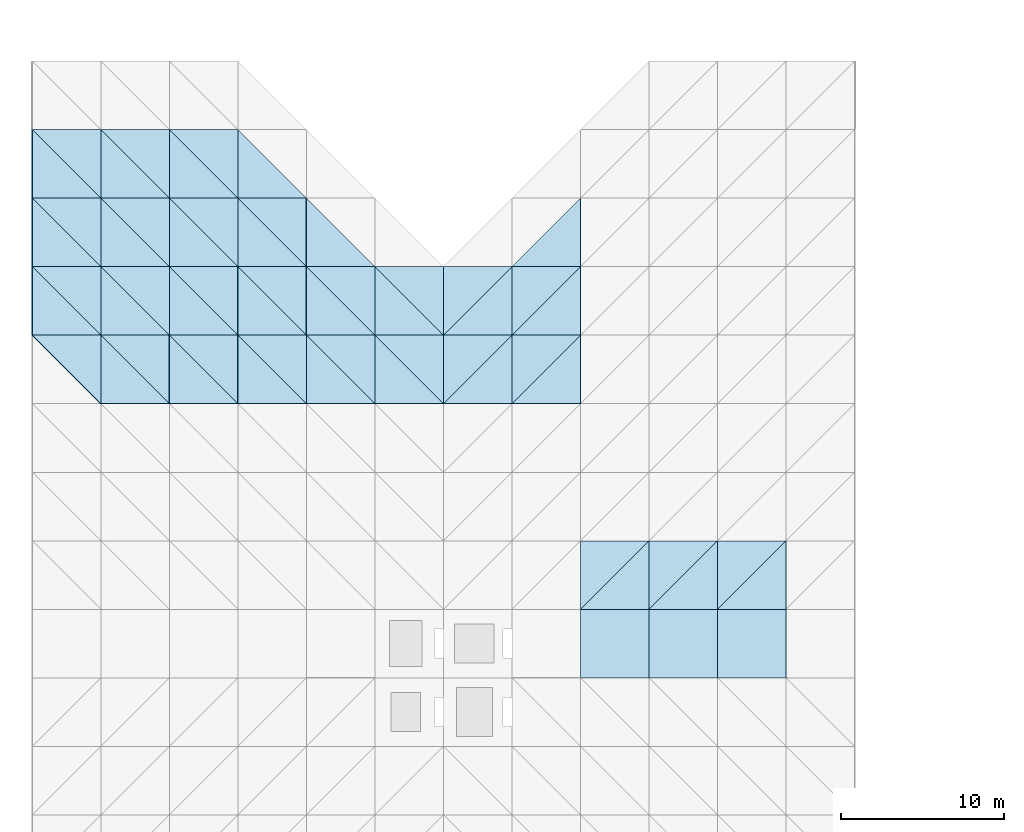
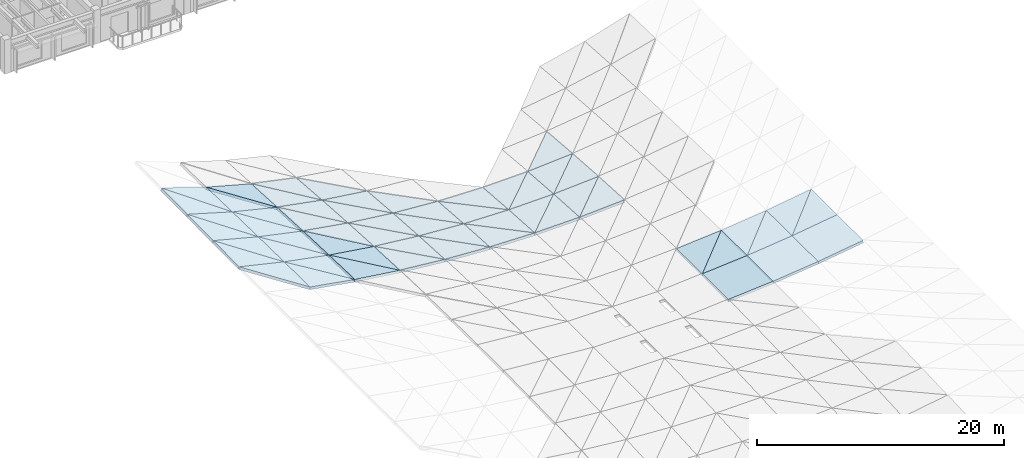
# One storey, part 9 of 31: 57 slabs.
"""IFC4 building model written with IfcOpenShell, lengths in metres."""

from ifc_helpers import new_model, si_unit, direction, frame, origin, place, context, subcontext, project, spatial, polyline, outline, extrude, material, layer, layer_set, type_object, element, save


model = new_model("IFC4")

# Units and contexts
model_context = context("Model", 3, precision=1e-05, world=origin(), true_north=direction((0.0, 1.0)))
body_context = subcontext(model_context, "Body", "Model", "MODEL_VIEW")
ifc_project = project(units=[si_unit("LENGTHUNIT", "METRE"), si_unit("AREAUNIT", "SQUARE_METRE"), si_unit("VOLUMEUNIT", "CUBIC_METRE"), si_unit("PLANEANGLEUNIT", "RADIAN"), si_unit("MASSUNIT", "GRAM", prefix="KILO")], contexts=[model_context])

# Site, building, storey
site_placement = place(None, origin())
site = spatial("IfcSite", under=ifc_project, at=site_placement, CompositionType="ELEMENT")
building_placement = place(site_placement, origin())
building = spatial("IfcBuilding", under=site, at=building_placement, Name="Cumbredor Promenade Congress Hotel", CompositionType="ELEMENT")
storey_placement = place(building_placement, frame((0.0, 0.0, 31.919921875)))
storey = spatial("IfcBuildingStorey", under=building, at=storey_placement, Name="L09", CompositionType="ELEMENT", Elevation=31.919921875)

# Slabs
ifc_material = material(Name="Concrete C40/50", Category="concrete")
ifc_layer = layer(ifc_material, 0.25, Name="Concrete C40/50", Category="concrete")
ifc_layer_set = layer_set([ifc_layer], Name="Concrete C40/50")
slab_type = type_object("IfcSlabType", Name="Catenary Space Frame Roof Deck 250mm", PredefinedType="ROOF", material=ifc_layer_set)
slab_1_placement = place(storey_placement, frame((12.60009765625, 50.39990234375, 2.68994140625), z_axis=(0.22698046669, 0.013301847799, 0.973808466068), x_axis=(0.0, 0.999906720525, -0.013658339882)))
element("IfcSlab", 1, at=slab_1_placement, inside=storey, type_object=slab_type, Name="Plenary Congress Hall Sweeping Roof Deck Facet 4.13.2", PredefinedType="ROOF", context=body_context, shape_type="SweptSolid", body=[
    extrude(outline(polyline([(0.0, 0.0), (4.200587141061913, -1.734723475976807e-18), (4.187215572964913, 4.312761355879358), (0.0, 0.0)])), origin(), (0.0, 0.0, -1.0), 0.25),
])
slab_2_placement = place(storey_placement, frame((8.39990234375, 54.60009765625, 3.611572265625), z_axis=(0.226989154907, -0.010019804461, 0.973845740902), x_axis=(0.973894629926, 0.0, -0.227000550221)))
element("IfcSlab", 2, at=slab_2_placement, inside=storey, type_object=slab_type, Name="Plenary Congress Hall Sweeping Roof Deck Facet 4.14.1", PredefinedType="ROOF", context=body_context, shape_type="SweptSolid", body=[
    extrude(outline(polyline([(0.0, 0.0), (4.312782084872795, 0.0), (-0.009809349948520946, 4.200162017911208), (0.0, 0.0)])), origin(), (0.0, 0.0, -1.0), 0.25),
])
slab_3_placement = place(storey_placement, frame((12.60009765625, 54.60009765625, 2.632568359375), z_axis=(0.251966322063, 0.01648000532, 0.967595670707), x_axis=(0.0, 0.999854988518, -0.017029443215)))
element("IfcSlab", 3, at=slab_3_placement, inside=storey, type_object=slab_type, Name="Plenary Congress Hall Sweeping Roof Deck Facet 4.14.2", PredefinedType="ROOF", context=body_context, shape_type="SweptSolid", body=[
    extrude(outline(polyline([(0.0, 0.0), (4.200560301350703, -3.469446951953614e-18), (4.181934347833786, 4.340228427111016), (0.0, 0.0)])), origin(), (0.0, 0.0, -1.0), 0.25),
])
slab_4_placement = place(storey_placement, frame((8.39990234375, 58.800048828125, 3.65478515625), z_axis=(0.251982626676, -0.011924871015, 0.967658283334), x_axis=(0.96772709241, 0.0, -0.252000544873)))
element("IfcSlab", 4, at=slab_4_placement, inside=storey, type_object=slab_type, Name="Plenary Congress Hall Sweeping Roof Deck Facet 4.15.1", PredefinedType="ROOF", context=body_context, shape_type="SweptSolid", body=[
    extrude(outline(polyline([(0.0, 0.0), (4.340268393273275, -1.734723475976807e-18), (-0.01304299695143546, 4.200249825607936), (0.0, 0.0)])), origin(), (0.0, 0.0, -1.0), 0.25),
])
slab_5_placement = place(storey_placement, frame((12.60009765625, 58.800048828125, 2.56103515625), z_axis=(0.281290607188, 0.019631254832, 0.95942180929), x_axis=(0.0, 0.999790728249, -0.020457265381)))
element("IfcSlab", 5, at=slab_5_placement, inside=storey, type_object=slab_type, Name="Plenary Congress Hall Sweeping Roof Deck Facet 4.15.2", PredefinedType="ROOF", context=body_context, shape_type="SweptSolid", body=[
    extrude(outline(polyline([(0.0, 0.0), (4.200830286983805, 0.0), (4.175638283424205, 4.3769239865208815), (0.0, 0.0)])), origin(), (0.0, 0.0, -1.0), 0.25),
])
slab_6_placement = place(storey_placement, frame((8.39990234375, 63.0, 3.70654296875), z_axis=(0.281318125125, -0.013776688355, 0.95951566706), x_axis=(0.95960673669, 0.0, -0.281344825614)))
element("IfcSlab", 6, at=slab_6_placement, inside=storey, type_object=slab_type, Name="Plenary Congress Hall Sweeping Roof Deck Facet 4.16.1", PredefinedType="ROOF", context=body_context, shape_type="SweptSolid", body=[
    extrude(outline(polyline([(0.0, 0.0), (4.3769964839859306, 0.0), (-0.016965862286780188, 4.200349797983991), (0.0, 0.0)])), origin(), (0.0, 0.0, -1.0), 0.25),
])
slab_7_placement = place(storey_placement, frame((12.60009765625, 63.0, 2.47509765625), z_axis=(0.314474991938, 0.022617477915, 0.948996274565), x_axis=(0.0, 0.99971611374, -0.023826286498)))
element("IfcSlab", 7, at=slab_7_placement, inside=storey, type_object=slab_type, Name="Plenary Congress Hall Sweeping Roof Deck Facet 4.16.2", PredefinedType="ROOF", context=body_context, shape_type="SweptSolid", body=[
    extrude(outline(polyline([(0.0, 0.0), (4.201143818880869, 0.0), (4.167981304396526, 4.424677996429522), (0.0, 0.0)])), origin(), (0.0, 0.0, -1.0), 0.25),
])
slab_8_placement = place(storey_placement, frame((12.60009765625, 50.39990234375, 2.68994140625), z_axis=(0.170334561544, 0.01345874084, 0.985294371971), x_axis=(0.985383621077, 0.0, -0.170349990646)))
element("IfcSlab", 8, at=slab_8_placement, inside=storey, type_object=slab_type, Name="Plenary Congress Hall Sweeping Roof Deck Facet 5.13.1", PredefinedType="ROOF", context=body_context, shape_type="SweptSolid", body=[
    extrude(outline(polyline([(0.0, 0.0), (4.262249830461327, -1.734723475976807e-18), (0.009773497998488744, 4.200575771057055), (0.0, 0.0)])), origin(), (0.0, 0.0, -1.0), 0.25),
])
slab_9_placement = place(storey_placement, frame((16.800048828125, 50.39990234375, 1.9638671875), z_axis=(0.18725598134, 0.030931680133, 0.981824031391), x_axis=(0.0, 0.999504108605, -0.031488678613)))
element("IfcSlab", 9, at=slab_9_placement, inside=storey, type_object=slab_type, Name="Plenary Congress Hall Sweeping Roof Deck Facet 5.13.2", PredefinedType="ROOF", context=body_context, shape_type="SweptSolid", body=[
    extrude(outline(polyline([(0.0, 0.0), (4.202279186586105, 6.938893903907228e-18), (4.1770559554995765, 4.275581283424942), (0.0, 0.0)])), origin(), (0.0, 0.0, -1.0), 0.25),
])
slab_10_placement = place(storey_placement, frame((12.60009765625, 54.60009765625, 2.632568359375), z_axis=(0.187319412076, 0.016728006016, 0.9821566126), x_axis=(0.982294058016, 0.0, -0.187345626016)))
element("IfcSlab", 10, at=slab_10_placement, inside=storey, type_object=slab_type, Name="Plenary Congress Hall Sweeping Roof Deck Facet 5.14.1", PredefinedType="ROOF", context=body_context, shape_type="SweptSolid", body=[
    extrude(outline(polyline([(0.0, 0.0), (4.275655683349646, 0.0), (0.013401432720365957, 4.2005389233864445), (0.0, 0.0)])), origin(), (0.0, 0.0, -1.0), 0.25),
])
slab_11_placement = place(storey_placement, frame((16.800048828125, 54.60009765625, 1.83154296875), z_axis=(0.208213846908, 0.038461329974, 0.977326823561), x_axis=(0.0, 0.999226545314, -0.039323162889)))
element("IfcSlab", 11, at=slab_11_placement, inside=storey, type_object=slab_type, Name="Plenary Congress Hall Sweeping Roof Deck Facet 5.14.2", PredefinedType="ROOF", context=body_context, shape_type="SweptSolid", body=[
    extrude(outline(polyline([(0.0, 0.0), (4.203202158279976, 0.0), (4.168016759845454, 4.294062742152159), (0.0, 0.0)])), origin(), (0.0, 0.0, -1.0), 0.25),
])
slab_12_placement = place(storey_placement, frame((12.60009765625, 58.800048828125, 2.56103515625), z_axis=(0.208326307756, 0.020008420281, 0.977854699132), x_axis=(0.978050493573, 0.0, -0.208368020633)))
element("IfcSlab", 12, at=slab_12_placement, inside=storey, type_object=slab_type, Name="Plenary Congress Hall Sweeping Roof Deck Facet 5.15.1", PredefinedType="ROOF", context=body_context, shape_type="SweptSolid", body=[
    extrude(outline(polyline([(0.0, 0.0), (4.294206893688555, 0.0), (0.017906626773119067, 4.200792122059606), (0.0, 0.0)])), origin(), (0.0, 0.0, -1.0), 0.25),
])
slab_13_placement = place(storey_placement, frame((16.800048828125, 58.800048828125, 1.666259765625), z_axis=(0.232981679668, 0.04590744197, 0.971396954757), x_axis=(0.0, 0.998885151163, -0.047206512114)))
element("IfcSlab", 13, at=slab_13_placement, inside=storey, type_object=slab_type, Name="Plenary Congress Hall Sweeping Roof Deck Facet 5.15.2", PredefinedType="ROOF", context=body_context, shape_type="SweptSolid", body=[
    extrude(outline(polyline([(0.0, 0.0), (4.204638708448887, 6.938893903907228e-18), (4.1570864455138326, 4.31879968395204), (0.0, 0.0)])), origin(), (0.0, 0.0, -1.0), 0.25),
])
slab_14_placement = place(storey_placement, frame((12.60009765625, 63.0, 2.47509765625), z_axis=(0.233164962007, 0.023169567238, 0.97216113461), x_axis=(0.972422181788, 0.0, -0.233227572055)))
element("IfcSlab", 14, at=slab_14_placement, inside=storey, type_object=slab_type, Name="Plenary Congress Hall Sweeping Roof Deck Facet 5.16.1", PredefinedType="ROOF", context=body_context, shape_type="SweptSolid", body=[
    extrude(outline(polyline([(0.0, 0.0), (4.319061463769008, 0.0), (0.023345533335556612, 4.201078953434963), (0.0, 0.0)])), origin(), (0.0, 0.0, -1.0), 0.25),
])
slab_15_placement = place(storey_placement, frame((16.800048828125, 63.0, 1.4677734375), z_axis=(0.261351290641, 0.053166639832, 0.963778403623), x_axis=(0.0, 0.998481886608, -0.055081050421)))
element("IfcSlab", 15, at=slab_15_placement, inside=storey, type_object=slab_type, Name="Plenary Congress Hall Sweeping Roof Deck Facet 5.16.2", PredefinedType="ROOF", context=body_context, shape_type="SweptSolid", body=[
    extrude(outline(polyline([(0.0, 0.0), (4.206336868205345, 1.3877787807814457e-17), (4.1436041777235095, 4.351181925215978), (0.0, 0.0)])), origin(), (0.0, 0.0, -1.0), 0.25),
])
slab_16_placement = place(storey_placement, frame((16.800048828125, 50.39990234375, 1.9638671875), z_axis=(0.133189316593, 0.031208133833, 0.99059914109), x_axis=(0.991081889584, 0.0, -0.133254223717)))
element("IfcSlab", 16, at=slab_16_placement, inside=storey, type_object=slab_type, Name="Plenary Congress Hall Sweeping Roof Deck Facet 6.13.1", PredefinedType="ROOF", context=body_context, shape_type="SweptSolid", body=[
    extrude(outline(polyline([(0.0, 0.0), (4.23774383934878, 0.0), (0.017632761048523442, 4.202242192895666), (0.0, 0.0)])), origin(), (0.0, 0.0, -1.0), 0.25),
])
slab_17_placement = place(storey_placement, frame((21.0, 50.39990234375, 1.399169921875), z_axis=(0.146592652311, 0.044859798853, 0.988179231079), x_axis=(0.0, 0.998971172461, -0.045349714351)))
element("IfcSlab", 17, at=slab_17_placement, inside=storey, type_object=slab_type, Name="Plenary Congress Hall Sweeping Roof Deck Facet 6.13.2", PredefinedType="ROOF", context=body_context, shape_type="SweptSolid", body=[
    extrude(outline(polyline([(0.0, 0.0), (4.204521039533375, 6.938893903907228e-18), (4.176266041724932, 4.24581899162933), (0.0, 0.0)])), origin(), (0.0, 0.0, -1.0), 0.25),
])
slab_18_placement = place(storey_placement, frame((16.800048828125, 54.60009765625, 1.83154296875), z_axis=(0.146629321046, 0.038898138851, 0.988426414562), x_axis=(0.989175041018, 0.0, -0.14674037695)))
element("IfcSlab", 18, at=slab_18_placement, inside=storey, type_object=slab_type, Name="Plenary Congress Hall Sweeping Roof Deck Facet 6.14.1", PredefinedType="ROOF", context=body_context, shape_type="SweptSolid", body=[
    extrude(outline(polyline([(0.0, 0.0), (4.245913006007242, -3.469446951953614e-18), (0.024253719530127803, 4.2031321821301795), (0.0, 0.0)])), origin(), (0.0, 0.0, -1.0), 0.25),
])
slab_19_placement = place(storey_placement, frame((21.0, 54.60009765625, 1.20849609375), z_axis=(0.163296574625, 0.055939955613, 0.984989822324), x_axis=(0.0, 0.998391201214, -0.056701052351)))
element("IfcSlab", 19, at=slab_19_placement, inside=storey, type_object=slab_type, Name="Plenary Congress Hall Sweeping Roof Deck Facet 6.14.2", PredefinedType="ROOF", context=body_context, shape_type="SweptSolid", body=[
    extrude(outline(polyline([(0.0, 0.0), (4.206718936190888, 0.0), (4.167238613606962, 4.257094033354206), (0.0, 0.0)])), origin(), (0.0, 0.0, -1.0), 0.25),
])
slab_20_placement = place(storey_placement, frame((16.800048828125, 58.800048828125, 1.666259765625), z_axis=(0.163375209042, 0.046572245775, 0.985464137853), x_axis=(0.98653460261, 0.0, -0.163552676082)))
element("IfcSlab", 20, at=slab_20_placement, inside=storey, type_object=slab_type, Name="Plenary Congress Hall Sweeping Roof Deck Facet 6.15.1", PredefinedType="ROOF", context=body_context, shape_type="SweptSolid", body=[
    extrude(outline(polyline([(0.0, 0.0), (4.257277099824642, 6.938893903907228e-18), (0.032462970130583295, 4.204513387320468), (0.0, 0.0)])), origin(), (0.0, 0.0, -1.0), 0.25),
])
slab_21_placement = place(storey_placement, frame((21.0, 58.800048828125, 0.969970703125), z_axis=(0.183020093145, 0.066765273855, 0.980839458684), x_axis=(0.0, 0.997691289932, -0.067912369965)))
element("IfcSlab", 21, at=slab_21_placement, inside=storey, type_object=slab_type, Name="Plenary Congress Hall Sweeping Roof Deck Facet 6.15.2", PredefinedType="ROOF", context=body_context, shape_type="SweptSolid", body=[
    extrude(outline(polyline([(0.0, 0.0), (4.209670079571633, 6.938893903907228e-18), (4.156447738851892, 4.272110655029035), (0.0, 0.0)])), origin(), (0.0, 0.0, -1.0), 0.25),
])
slab_22_placement = place(storey_placement, frame((16.800048828125, 63.0, 1.4677734375), z_axis=(0.183160259499, 0.054149248058, 0.981590636811), x_axis=(0.983032890363, 0.0, -0.183429377322)))
element("IfcSlab", 22, at=slab_22_placement, inside=storey, type_object=slab_type, Name="Plenary Congress Hall Sweeping Roof Deck Facet 6.16.1", PredefinedType="ROOF", context=body_context, shape_type="SweptSolid", body=[
    extrude(outline(polyline([(0.0, 0.0), (4.272442166532426, 0.0), (0.04249865211872299, 4.206122170526154), (0.0, 0.0)])), origin(), (0.0, 0.0, -1.0), 0.25),
])
slab_23_placement = place(storey_placement, frame((21.0, 63.0, 0.68408203125), z_axis=(0.205733512795, 0.077518663724, 0.975532971502), x_axis=(0.0, 0.996857698391, -0.079213188031)))
element("IfcSlab", 23, at=slab_23_placement, inside=storey, type_object=slab_type, Name="Plenary Congress Hall Sweeping Roof Deck Facet 6.16.2", PredefinedType="ROOF", context=body_context, shape_type="SweptSolid", body=[
    extrude(outline(polyline([(0.0, 0.0), (4.21319028649014, 0.0), (4.1430278240445295, 4.291760279618963), (0.0, 0.0)])), origin(), (0.0, 0.0, -1.0), 0.25),
])
slab_24_placement = place(storey_placement, frame((21.0, 50.39990234375, 1.399169921875), z_axis=(0.095492573343, 0.045142472615, 0.994406016475), x_axis=(0.995420789287, 0.0, -0.095590021735)))
element("IfcSlab", 24, at=slab_24_placement, inside=storey, type_object=slab_type, Name="Plenary Congress Hall Sweeping Roof Deck Facet 7.13.1", PredefinedType="ROOF", context=body_context, shape_type="SweptSolid", body=[
    extrude(outline(polyline([(0.0, 0.0), (4.219272107912606, 0.0), (0.01822651537470813, 4.204481533556321), (0.0, 0.0)])), origin(), (0.0, 0.0, -1.0), 0.25),
])
slab_25_placement = place(storey_placement, frame((25.199951171875, 50.39990234375, 0.995849609375), z_axis=(0.105220665991, 0.054944734798, 0.992929850275), x_axis=(0.0, 0.998472472454, -0.055251441163)))
element("IfcSlab", 25, at=slab_25_placement, inside=storey, type_object=slab_type, Name="Plenary Congress Hall Sweeping Roof Deck Facet 7.13.2", PredefinedType="ROOF", context=body_context, shape_type="SweptSolid", body=[
    extrude(outline(polyline([(0.0, 0.0), (4.206621042015253, -3.469446951953614e-18), (4.1820303737435145, 4.22339567051027), (0.0, 0.0)])), origin(), (0.0, 0.0, -1.0), 0.25),
])
slab_26_placement = place(storey_placement, frame((21.0, 54.60009765625, 1.20849609375), z_axis=(0.105212196304, 0.056386349857, 0.992849924862), x_axis=(0.994432042203, 0.0, -0.105379853103)))
element("IfcSlab", 26, at=slab_26_placement, inside=storey, type_object=slab_type, Name="Plenary Congress Hall Sweeping Roof Deck Facet 7.14.1", PredefinedType="ROOF", context=body_context, shape_type="SweptSolid", body=[
    extrude(outline(polyline([(0.0, 0.0), (4.223467259332188, -3.469446951953614e-18), (0.025135770625468457, 4.2066438405386855), (0.0, 0.0)])), origin(), (0.0, 0.0, -1.0), 0.25),
])
slab_27_placement = place(storey_placement, frame((25.199951171875, 54.60009765625, 0.763427734375), z_axis=(0.117254845515, 0.068533038391, 0.990734335658), x_axis=(0.0, 0.997616032288, -0.069009072744)))
element("IfcSlab", 27, at=slab_27_placement, inside=storey, type_object=slab_type, Name="Plenary Congress Hall Sweeping Roof Deck Facet 7.14.2", PredefinedType="ROOF", context=body_context, shape_type="SweptSolid", body=[
    extrude(outline(polyline([(0.0, 0.0), (4.209987646490263, 0.0), (4.17568528513583, 4.2291242698351335), (0.0, 0.0)])), origin(), (0.0, 0.0, -1.0), 0.25),
])
slab_28_placement = place(storey_placement, frame((21.0, 58.800048828125, 0.969970703125), z_axis=(0.117263569299, 0.067443830869, 0.990808046492), x_axis=(0.993069192908, 0.0, -0.117531179257)))
element("IfcSlab", 28, at=slab_28_placement, inside=storey, type_object=slab_type, Name="Plenary Congress Hall Sweeping Roof Deck Facet 7.15.1", PredefinedType="ROOF", context=body_context, shape_type="SweptSolid", body=[
    extrude(outline(polyline([(0.0, 0.0), (4.229263380507655, -6.938893903907228e-18), (0.03360083274171934, 4.209535979520748), (0.0, 0.0)])), origin(), (0.0, 0.0, -1.0), 0.25),
])
slab_29_placement = place(storey_placement, frame((25.199951171875, 58.800048828125, 0.472900390625), z_axis=(0.131677216487, 0.082003953399, 0.987894965209), x_axis=(0.0, 0.996572474205, -0.082724262813)))
element("IfcSlab", 29, at=slab_29_placement, inside=storey, type_object=slab_type, Name="Plenary Congress Hall Sweeping Roof Deck Facet 7.15.2", PredefinedType="ROOF", context=body_context, shape_type="SweptSolid", body=[
    extrude(outline(polyline([(0.0, 0.0), (4.214396123299973, 6.938893903907228e-18), (4.168085885353404, 4.23684286113176), (0.0, 0.0)])), origin(), (0.0, 0.0, -1.0), 0.25),
])
slab_30_placement = place(storey_placement, frame((21.0, 63.0, 0.68408203125), z_axis=(0.131714249465, 0.078523061063, 0.988172801371), x_axis=(0.99123343534, 0.0, -0.132122203525)))
element("IfcSlab", 30, at=slab_30_placement, inside=storey, type_object=slab_type, Name="Plenary Congress Hall Sweeping Roof Deck Facet 7.16.1", PredefinedType="ROOF", context=body_context, shape_type="SweptSolid", body=[
    extrude(outline(polyline([(0.0, 0.0), (4.237095947469426, 6.938893903907228e-18), (0.04409449517045616, 4.212959537625602), (0.0, 0.0)])), origin(), (0.0, 0.0, -1.0), 0.25),
])
slab_31_placement = place(storey_placement, frame((25.199951171875, 50.39990234375, 0.995849609375), z_axis=(0.057481080112, 0.055160088201, 0.996821593917), x_axis=(0.998341545591, 0.0, -0.057568727154)))
element("IfcSlab", 31, at=slab_31_placement, inside=storey, type_object=slab_type, Name="Plenary Congress Hall Sweeping Roof Deck Facet 8.13.1", PredefinedType="ROOF", context=body_context, shape_type="SweptSolid", body=[
    extrude(outline(polyline([(0.0, 0.0), (4.206928170445799, 0.0), (0.013380231506447997, 4.206599762341353), (0.0, 0.0)])), origin(), (0.0, 0.0, -1.0), 0.25),
])
slab_32_placement = place(storey_placement, frame((29.39990234375, 50.39990234375, 0.753662109375), z_axis=(0.063347063869, 0.061027353173, 0.996123893732), x_axis=(0.0, 0.998128577258, -0.061150169753)))
element("IfcSlab", 32, at=slab_32_placement, inside=storey, type_object=slab_type, Name="Plenary Congress Hall Sweeping Roof Deck Facet 8.13.2", PredefinedType="ROOF", context=body_context, shape_type="SweptSolid", body=[
    extrude(outline(polyline([(0.0, 0.0), (4.208070391129677, -3.469446951953614e-18), (4.191737801845072, 4.208403506948431), (0.0, 0.0)])), origin(), (0.0, 0.0, -1.0), 0.25),
])
slab_33_placement = place(storey_placement, frame((25.199951171875, 54.60009765625, 0.763427734375), z_axis=(0.063314665209, 0.068870613893, 0.99561442924), x_axis=(0.997984042167, 0.0, -0.063465357329)))
element("IfcSlab", 33, at=slab_33_placement, inside=storey, type_object=slab_type, Name="Plenary Congress Hall Sweeping Roof Deck Facet 8.14.1", PredefinedType="ROOF", context=body_context, shape_type="SweptSolid", body=[
    extrude(outline(polyline([(0.0, 0.0), (4.208435199782525, 0.0), (0.018438421684929335, 4.209947269052949), (0.0, 0.0)])), origin(), (0.0, 0.0, -1.0), 0.25),
])
slab_34_placement = place(storey_placement, frame((29.39990234375, 54.60009765625, 0.496337890625), z_axis=(0.070649576012, 0.076199788203, 0.994586461645), x_axis=(0.0, 0.997077963354, -0.07639067347)))
element("IfcSlab", 34, at=slab_34_placement, inside=storey, type_object=slab_type, Name="Plenary Congress Hall Sweeping Roof Deck Facet 8.14.2", PredefinedType="ROOF", context=body_context, shape_type="SweptSolid", body=[
    extrude(outline(polyline([(0.0, 0.0), (4.212259548637167, -3.469446951953614e-18), (4.1894691670502295, 4.2104723140058855), (0.0, 0.0)])), origin(), (0.0, 0.0, -1.0), 0.25),
])
slab_35_placement = place(storey_placement, frame((25.199951171875, 58.800048828125, 0.472900390625), z_axis=(0.0706139374, 0.082517759908, 0.994084750484), x_axis=(0.997486584501, 0.0, -0.070855583692)))
element("IfcSlab", 35, at=slab_35_placement, inside=storey, type_object=slab_type, Name="Plenary Congress Hall Sweeping Roof Deck Facet 8.15.1", PredefinedType="ROOF", context=body_context, shape_type="SweptSolid", body=[
    extrude(outline(polyline([(0.0, 0.0), (4.210533993272463, 0.0), (0.024702581424009537, 4.214323725884954), (0.0, 0.0)])), origin(), (0.0, 0.0, -1.0), 0.25),
])
slab_36_placement = place(storey_placement, frame((29.39990234375, 50.39990234375, 0.753662109375), z_axis=(0.01914218079, 0.06113896531, 0.997945691827), x_axis=(0.999816084135, 0.0, -0.01917805788)))
element("IfcSlab", 36, at=slab_36_placement, inside=storey, type_object=slab_type, Name="Plenary Congress Hall Sweeping Roof Deck Facet 9.13.1", PredefinedType="ROOF", context=body_context, shape_type="SweptSolid", body=[
    extrude(outline(polyline([(0.0, 0.0), (4.200967937150082, 0.0), (0.004934978761071111, 4.208067497401498), (0.0, 0.0)])), origin(), (0.0, 0.0, -1.0), 0.25),
])
slab_37_placement = place(storey_placement, frame((33.60009765625, 50.39990234375, 0.673095703125), z_axis=(0.021110981086, 0.063100954456, 0.997783842335), x_axis=(0.0, 0.998006259601, -0.06311502037)))
element("IfcSlab", 37, at=slab_37_placement, inside=storey, type_object=slab_type, Name="Plenary Congress Hall Sweeping Roof Deck Facet 9.13.2", PredefinedType="ROOF", context=body_context, shape_type="SweptSolid", body=[
    extrude(outline(polyline([(0.0, 0.0), (4.208586140709487, 8.673617379884035e-19), (4.202977286360196, 4.201131583384889), (0.0, 0.0)])), origin(), (0.0, 0.0, -1.0), 0.25),
])
slab_38_placement = place(storey_placement, frame((29.39990234375, 54.60009765625, 0.496337890625), z_axis=(0.021091353431, 0.076373680568, 0.996856166017), x_axis=(0.999776247383, 0.0, -0.021153136134)))
element("IfcSlab", 38, at=slab_38_placement, inside=storey, type_object=slab_type, Name="Plenary Congress Hall Sweeping Roof Deck Facet 9.14.1", PredefinedType="ROOF", context=body_context, shape_type="SweptSolid", body=[
    extrude(outline(polyline([(0.0, 0.0), (4.201135327522922, 0.0), (0.006806599957146269, 4.212254049233262), (0.0, 0.0)])), origin(), (0.0, 0.0, -1.0), 0.25),
])
slab_39_placement = place(storey_placement, frame((33.60009765625, 54.60009765625, 0.407470703125), z_axis=(0.023577043061, 0.078845751554, 0.996607982359), x_axis=(0.0, 0.996885093602, -0.078867674963)))
element("IfcSlab", 39, at=slab_39_placement, inside=storey, type_object=slab_type, Name="Plenary Congress Hall Sweeping Roof Deck Facet 9.14.2", PredefinedType="ROOF", context=body_context, shape_type="SweptSolid", body=[
    extrude(outline(polyline([(0.0, 0.0), (4.213074504604586, 0.0), (4.2052377995972545, 4.201363195321728), (0.0, 0.0)])), origin(), (0.0, 0.0, -1.0), 0.25),
])
slab_40_placement = place(storey_placement, frame((33.60009765625, 50.39990234375, 0.673095703125), z_axis=(-0.019143293105, 0.061138964007, 0.99794567057), x_axis=(0.999816062759, 0.0, 0.019179172279)))
element("IfcSlab", 40, at=slab_40_placement, inside=storey, type_object=slab_type, Name="Plenary Congress Hall Sweeping Roof Deck Facet 10.13.1", PredefinedType="ROOF", context=body_context, shape_type="SweptSolid", body=[
    extrude(outline(polyline([(0.0, 0.0), (4.200723841429025, 8.673617379884035e-19), (4.195788575906137, 4.208067497065191), (0.0, 0.0)])), origin(), (0.0, 0.0, -1.0), 0.25),
])
slab_41_placement = place(storey_placement, frame((33.60009765625, 50.39990234375, 0.673095703125), z_axis=(-0.021112207708, 0.063100952821, 0.997783816485), x_axis=(0.706773357011, 0.70681444132, -0.029745039265)))
element("IfcSlab", 41, at=slab_41_placement, inside=storey, type_object=slab_type, Name="Plenary Congress Hall Sweeping Roof Deck Facet 10.13.2", PredefinedType="ROOF", context=body_context, shape_type="SweptSolid", body=[
    extrude(outline(polyline([(0.0, 0.0), (5.94242996034122, 3.469446951953614e-18), (2.976659729293064, 2.9751796852924564), (0.0, 0.0)])), origin(), (0.0, 0.0, -1.0), 0.25),
])
slab_42_placement = place(storey_placement, frame((33.60009765625, 54.60009765625, 0.407470703125), z_axis=(-0.021092578913, 0.076373678593, 0.996856140239), x_axis=(0.999776221378, 0.0, 0.021154365203)))
element("IfcSlab", 42, at=slab_42_placement, inside=storey, type_object=slab_type, Name="Plenary Congress Hall Sweeping Roof Deck Facet 10.14.1", PredefinedType="ROOF", context=body_context, shape_type="SweptSolid", body=[
    extrude(outline(polyline([(0.0, 0.0), (4.2008912415282005, -8.673617379884035e-19), (4.194084246084567, 4.212254048594176), (0.0, 0.0)])), origin(), (0.0, 0.0, -1.0), 0.25),
])
slab_43_placement = place(storey_placement, frame((33.60009765625, 54.60009765625, 0.407470703125), z_axis=(-0.023578412818, 0.078845749007, 0.996607950155), x_axis=(0.706563764859, 0.706563764859, -0.039182807166)))
element("IfcSlab", 43, at=slab_43_placement, inside=storey, type_object=slab_type, Name="Plenary Congress Hall Sweeping Roof Deck Facet 10.14.2", PredefinedType="ROOF", context=body_context, shape_type="SweptSolid", body=[
    extrude(outline(polyline([(0.0, 0.0), (5.9441926981847395, -1.6653345369377348e-16), (2.9805527947795447, 2.9776335937923974), (0.0, 0.0)])), origin(), (0.0, 0.0, -1.0), 0.25),
])
slab_44_placement = place(storey_placement, frame((37.800048828125, 50.39990234375, 0.753662109375), z_axis=(-0.057481080112, 0.055160088201, 0.996821593917), x_axis=(0.998341545591, 0.0, 0.057568727154)))
element("IfcSlab", 44, at=slab_44_placement, inside=storey, type_object=slab_type, Name="Plenary Congress Hall Sweeping Roof Deck Facet 11.13.1", PredefinedType="ROOF", context=body_context, shape_type="SweptSolid", body=[
    extrude(outline(polyline([(0.0, 0.0), (4.206928170445799, 0.0), (4.193547938939352, 4.206599762341353), (0.0, 0.0)])), origin(), (0.0, 0.0, -1.0), 0.25),
])
slab_45_placement = place(storey_placement, frame((37.800048828125, 50.39990234375, 0.753662109375), z_axis=(-0.063347063869, 0.061027353173, 0.996123893732), x_axis=(0.707085273992, 0.707126376432, 0.001644097597)))
element("IfcSlab", 45, at=slab_45_placement, inside=storey, type_object=slab_type, Name="Plenary Congress Hall Sweeping Roof Deck Facet 11.13.2", PredefinedType="ROOF", context=body_context, shape_type="SweptSolid", body=[
    extrude(outline(polyline([(0.0, 0.0), (5.93980857239632, 2.389581588158052e-16), (2.9696458255062965, 2.9814526807842014), (0.0, 0.0)])), origin(), (0.0, 0.0, -1.0), 0.25),
])
slab_46_placement = place(storey_placement, frame((37.800048828125, 54.60009765625, 0.496337890625), z_axis=(-0.063314665209, 0.068870613893, 0.99561442924), x_axis=(0.997984042167, 0.0, 0.063465357329)))
element("IfcSlab", 46, at=slab_46_placement, inside=storey, type_object=slab_type, Name="Plenary Congress Hall Sweeping Roof Deck Facet 11.14.1", PredefinedType="ROOF", context=body_context, shape_type="SweptSolid", body=[
    extrude(outline(polyline([(0.0, 0.0), (4.208435199782525, 0.0), (4.189996778097596, 4.209947269052949), (0.0, 0.0)])), origin(), (0.0, 0.0, -1.0), 0.25),
])
slab_47_placement = place(storey_placement, frame((37.800048828125, 54.60009765625, 0.496337890625), z_axis=(-0.070649576012, 0.076199788203, 0.994586461645), x_axis=(0.707101276228, 0.707101276228, -0.003945923532)))
element("IfcSlab", 47, at=slab_47_placement, inside=storey, type_object=slab_type, Name="Plenary Congress Hall Sweeping Roof Deck Facet 11.14.2", PredefinedType="ROOF", context=body_context, shape_type="SweptSolid", body=[
    extrude(outline(polyline([(0.0, 0.0), (5.939674150041786, -6.722053469410127e-17), (2.9710605425222147, 2.98595541791109), (0.0, 0.0)])), origin(), (0.0, 0.0, -1.0), 0.25),
])
slab_48_placement = place(storey_placement, frame((37.800048828125, 58.800048828125, 0.174560546875), z_axis=(-0.0706139374, 0.082517759908, 0.994084750484), x_axis=(0.997486584501, 0.0, 0.070855583692)))
element("IfcSlab", 48, at=slab_48_placement, inside=storey, type_object=slab_type, Name="Plenary Congress Hall Sweeping Roof Deck Facet 11.15.1", PredefinedType="ROOF", context=body_context, shape_type="SweptSolid", body=[
    extrude(outline(polyline([(0.0, 0.0), (4.210533993272463, 0.0), (4.185831411848454, 4.214323725884954), (0.0, 0.0)])), origin(), (0.0, 0.0, -1.0), 0.25),
])
slab_49_placement = place(storey_placement, frame((42.0, 33.60009765625, 1.344482421875), z_axis=(-0.080882763255, 0.0, 0.996723621978), x_axis=(0.996723621978, 0.0, 0.080882763255)))
element("IfcSlab", 49, at=slab_49_placement, inside=storey, type_object=slab_type, Name="Plenary Congress Hall Sweeping Roof Deck Facet 12.9", PredefinedType="ROOF", context=body_context, shape_type="SweptSolid", body=[
    extrude(outline(polyline([(0.0, 0.0), (4.213757032808938, 0.0), (4.213757032808938, 4.199951171875), (0.0, 4.199951171875), (0.0, 0.0)])), origin(), (0.0, 0.0, -1.0), 0.25),
])
slab_50_placement = place(storey_placement, frame((42.0, 37.800048828125, 1.344482421875), z_axis=(-0.080877601532, 0.011297372707, 0.996660013716), x_axis=(0.996723621978, 0.0, 0.080882763255)))
element("IfcSlab", 50, at=slab_50_placement, inside=storey, type_object=slab_type, Name="Plenary Congress Hall Sweeping Roof Deck Facet 12.10.1", PredefinedType="ROOF", context=body_context, shape_type="SweptSolid", body=[
    extrude(outline(polyline([(0.0, 0.0), (4.213757032808938, 0.0), (4.209906412976228, 4.200219218740692), (0.0, 0.0)])), origin(), (0.0, 0.0, -1.0), 0.25),
])
slab_51_placement = place(storey_placement, frame((42.0, 37.800048828125, 1.344482421875), z_axis=(-0.083349162812, 0.01378533756, 0.996425050632), x_axis=(0.706246758783, 0.706246758783, 0.049305490746)))
element("IfcSlab", 51, at=slab_51_placement, inside=storey, type_object=slab_type, Name="Plenary Congress Hall Sweeping Roof Deck Facet 12.10.2", PredefinedType="ROOF", context=body_context, shape_type="SweptSolid", body=[
    extrude(outline(polyline([(0.0, 0.0), (5.94686080983043, 9.020562075079397e-17), (2.9633369835308745, 2.9768439686471617), (0.0, 0.0)])), origin(), (0.0, 0.0, -1.0), 0.25),
])
slab_52_placement = place(storey_placement, frame((46.199951171875, 33.60009765625, 1.685302734375), z_axis=(-0.11285914596, 0.0, 0.993610996906), x_axis=(0.993610996906, 0.0, 0.11285914596)))
element("IfcSlab", 52, at=slab_52_placement, inside=storey, type_object=slab_type, Name="Plenary Congress Hall Sweeping Roof Deck Facet 13.9", PredefinedType="ROOF", context=body_context, shape_type="SweptSolid", body=[
    extrude(outline(polyline([(0.0, 0.0), (4.226957214596029, 0.0), (4.226957214596029, 4.199951171875), (0.0, 4.199951171875), (0.0, 0.0)])), origin(), (0.0, 0.0, -1.0), 0.25),
])
slab_53_placement = place(storey_placement, frame((46.199951171875, 37.800048828125, 1.685302734375), z_axis=(-0.112855715291, 0.007797093943, 0.993580793319), x_axis=(0.993610996906, 0.0, 0.11285914596)))
element("IfcSlab", 53, at=slab_53_placement, inside=storey, type_object=slab_type, Name="Plenary Congress Hall Sweeping Roof Deck Facet 13.10.1", PredefinedType="ROOF", context=body_context, shape_type="SweptSolid", body=[
    extrude(outline(polyline([(0.0, 0.0), (4.226957214596029, -4.336808689942018e-19), (4.2232374917677475, 4.200078845027472), (0.0, 0.0)])), origin(), (0.0, 0.0, -1.0), 0.25),
])
slab_54_placement = place(storey_placement, frame((46.199951171875, 37.800048828125, 1.685302734375), z_axis=(-0.116271091063, 0.011257627983, 0.99315371378), x_axis=(0.705138596558, 0.705138596558, 0.074559501665)))
element("IfcSlab", 54, at=slab_54_placement, inside=storey, type_object=slab_type, Name="Plenary Congress Hall Sweeping Roof Deck Facet 13.10.2", PredefinedType="ROOF", context=body_context, shape_type="SweptSolid", body=[
    extrude(outline(polyline([(0.0, 0.0), (5.9562066129643325, -3.7470027081099033e-16), (2.957998089297417, 2.981963047467994), (0.0, 0.0)])), origin(), (0.0, 0.0, -1.0), 0.25),
])
slab_55_placement = place(storey_placement, frame((50.39990234375, 33.60009765625, 2.162353515625), z_axis=(-0.144536854041, 0.0, 0.989499417799), x_axis=(0.989499417799, 0.0, 0.144536854041)))
element("IfcSlab", 55, at=slab_55_placement, inside=storey, type_object=slab_type, Name="Plenary Congress Hall Sweeping Roof Deck Facet 14.9", PredefinedType="ROOF", context=body_context, shape_type="SweptSolid", body=[
    extrude(outline(polyline([(0.0, 0.0), (4.2447678461947165, 0.0), (4.2447678461947165, 4.199951171875), (0.0, 4.199951171875), (0.0, 0.0)])), origin(), (0.0, 0.0, -1.0), 0.25),
])
slab_56_placement = place(storey_placement, frame((50.39990234375, 37.800048828125, 2.162353515625), z_axis=(-0.144536021757, 0.003393601667, 0.989493719981), x_axis=(0.989499417799, 0.0, 0.144536854041)))
element("IfcSlab", 56, at=slab_56_placement, inside=storey, type_object=slab_type, Name="Plenary Congress Hall Sweeping Roof Deck Facet 14.10.1", PredefinedType="ROOF", context=body_context, shape_type="SweptSolid", body=[
    extrude(outline(polyline([(0.0, 0.0), (4.2447678461947165, 4.336808689942018e-19), (4.2426858944397265, 4.199975356520504), (0.0, 0.0)])), origin(), (0.0, 0.0, -1.0), 0.25),
])
slab_57_placement = place(storey_placement, frame((50.39990234375, 37.800048828125, 2.162353515625), z_axis=(-0.14880815309, 0.007759856483, 0.988835637607), x_axis=(0.703557443714, 0.703516548722, 0.10035631056)))
element("IfcSlab", 57, at=slab_57_placement, inside=storey, type_object=slab_type, Name="Plenary Congress Hall Sweeping Roof Deck Facet 14.10.2", PredefinedType="ROOF", context=body_context, shape_type="SweptSolid", body=[
    extrude(outline(polyline([(0.0, 0.0), (5.969939412946949, 3.7470027081099033e-16), (2.9514275111661212, 2.9882690285710516), (0.0, 0.0)])), origin(), (0.0, 0.0, -1.0), 0.25),
])

save(model, "model.ifc")
